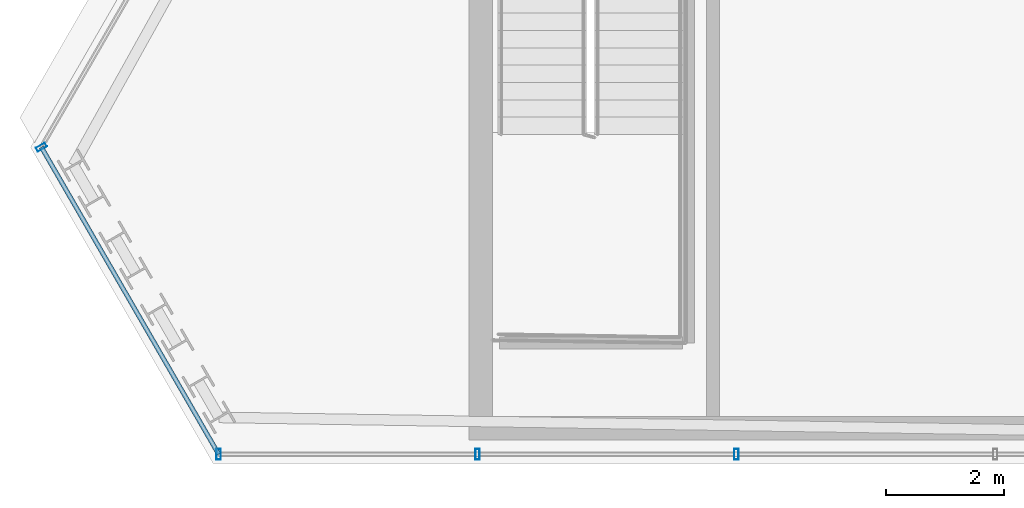
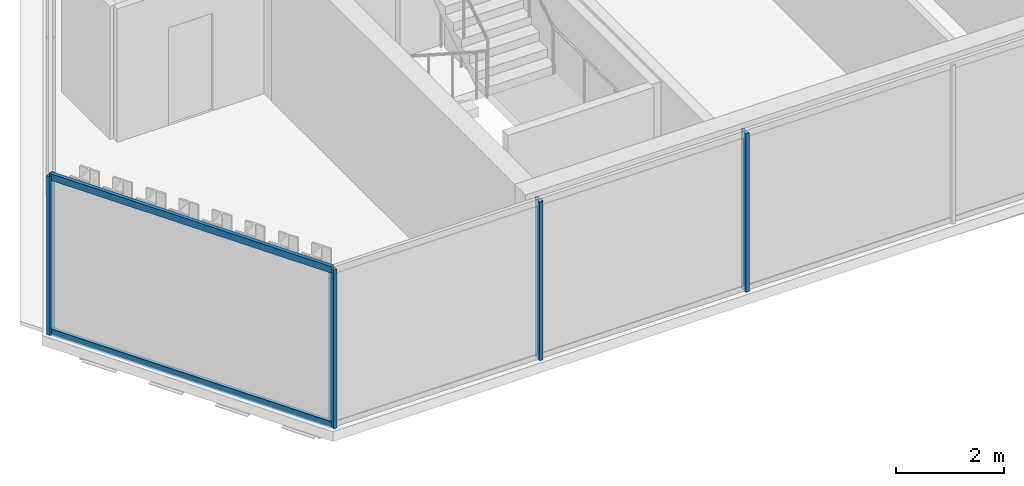
# One storey, part 3 of 32: 6 members, 2 elements without a shape of their own.
"""IFC4 building model written with IfcOpenShell, lengths in metres."""

from ifc_helpers import new_model, si_unit, direction, frame, origin, origin_2d, place, context, subcontext, project, spatial, hollow_rectangle, extrude, material, layer, layer_set, material_profile, profile_set, type_object, element, aggregate, save


model = new_model("IFC4")

# Units and contexts
model_context = context("Model", 3, precision=1e-05, world=origin(), true_north=direction((0.0, 1.0)))
body_context = subcontext(model_context, "Body", "Model", "MODEL_VIEW")
ifc_project = project(units=[si_unit("LENGTHUNIT", "METRE"), si_unit("AREAUNIT", "SQUARE_METRE"), si_unit("VOLUMEUNIT", "CUBIC_METRE"), si_unit("PLANEANGLEUNIT", "RADIAN"), si_unit("MASSUNIT", "GRAM", prefix="KILO")], contexts=[model_context])

# Site, building, storey
site_placement = place(None, origin())
site = spatial("IfcSite", under=ifc_project, at=site_placement, CompositionType="ELEMENT")
building_placement = place(site_placement, origin())
building = spatial("IfcBuilding", under=site, at=building_placement, Name="Ndaravel Arena Tower", CompositionType="ELEMENT")
storey_placement = place(building_placement, frame((0.0, 0.0, 252.199951171875)))
storey = spatial("IfcBuildingStorey", under=building, at=storey_placement, Name="L61", CompositionType="ELEMENT", Elevation=252.199951171875)

# Curtain wall, members
ifc_material_1 = material(Name="Aluminium", Category="aluminium")
ifc_layer_1 = layer(ifc_material_1, 0.179931640625)
ifc_layer_set_1 = layer_set([ifc_layer_1], Name="Aluminium")
curtain_wall_type_1 = type_object("IfcCurtainWallType", Name="CW-SYS-03", PredefinedType="NOTDEFINED", material=ifc_layer_set_1)
curtain_wall_1_placement = place(storey_placement, origin())
curtain_wall_1 = element("IfcCurtainWall", 1, at=curtain_wall_1_placement, inside=storey, type_object=curtain_wall_type_1, Name="L61 Faceted Crystal Curtain Wall CW-L61-E01", PredefinedType="NOTDEFINED")
ifc_material_2 = material(Name="Aluminium", Category="aluminium")
ifc_material_profile_1 = material_profile(ifc_material_2, hollow_rectangle(XDim=0.074951171875, YDim=0.179931640625, WallThickness=0.00390625, at=origin_2d()), Name="CW MULLION 75x180x4")
ifc_profile_set_1 = profile_set([ifc_material_profile_1], Name="Aluminium")
member_type_1 = type_object("IfcMemberType", Name="MEM-CW-MUL180", PredefinedType="MULLION", material=ifc_profile_set_1)
member_1_placement = place(storey_placement, frame((22.197021484375, 5.159912109375, 0.0), z_axis=(0.0, 0.0, 1.0), x_axis=(1.0, 0.0, 0.0)))
member_1 = element("IfcMember", 2, at=member_1_placement, type_object=member_type_1, Name="CW-L61-E01 Mullion 00", PredefinedType="MULLION", context=body_context, shape_type="SweptSolid", body=[
    extrude(hollow_rectangle(XDim=0.074951171875, YDim=0.179931640625, WallThickness=0.00390625, at=origin_2d()), origin(), (0.0, 0.0, 1.0), 3.580078125),
])
member_2_placement = place(storey_placement, frame((26.59765625, 5.159912109375, 0.0), z_axis=(0.0, 0.0, 1.0), x_axis=(1.0, 0.0, 0.0)))
member_2 = element("IfcMember", 3, at=member_2_placement, type_object=member_type_1, Name="CW-L61-E01 Mullion 01", PredefinedType="MULLION", context=body_context, shape_type="SweptSolid", body=[
    extrude(hollow_rectangle(XDim=0.074951171875, YDim=0.179931640625, WallThickness=0.00390625, at=origin_2d()), origin(), (0.0, 0.0, 1.0), 3.580078125),
])
member_3_placement = place(storey_placement, frame((30.998291015625, 5.159912109375, 0.0), z_axis=(0.0, 0.0, 1.0), x_axis=(1.0, 0.0, 0.0)))
member_3 = element("IfcMember", 4, at=member_3_placement, type_object=member_type_1, Name="CW-L61-E01 Mullion 02", PredefinedType="MULLION", context=body_context, shape_type="SweptSolid", body=[
    extrude(hollow_rectangle(XDim=0.074951171875, YDim=0.179931640625, WallThickness=0.00390625, at=origin_2d()), origin(), (0.0, 0.0, 1.0), 3.580078125),
])
aggregate(curtain_wall_1, [member_1, member_2, member_3])

ifc_material_3 = material(Name="Aluminium", Category="aluminium")
ifc_layer_2 = layer(ifc_material_3, 0.179931640625)
ifc_layer_set_2 = layer_set([ifc_layer_2], Name="Aluminium")
curtain_wall_type_2 = type_object("IfcCurtainWallType", Name="CW-SYS-02", PredefinedType="NOTDEFINED", material=ifc_layer_set_2)
curtain_wall_2_placement = place(storey_placement, origin())
curtain_wall_2 = element("IfcCurtainWall", 5, at=curtain_wall_2_placement, inside=storey, type_object=curtain_wall_type_2, Name="L61 Faceted Crystal Curtain Wall CW-L61-E06", PredefinedType="NOTDEFINED")
member_4_placement = place(storey_placement, frame((19.183349609375, 10.3798828125, 0.0), z_axis=(0.0, 0.0, 1.0), x_axis=(0.5, -0.866025403784, 0.0)))
member_4 = element("IfcMember", 6, at=member_4_placement, type_object=member_type_1, Name="CW-L61-E06 Mullion 00", PredefinedType="MULLION", context=body_context, shape_type="SweptSolid", body=[
    extrude(hollow_rectangle(XDim=0.074951171875, YDim=0.179931640625, WallThickness=0.00390625, at=origin_2d()), origin(), (0.0, 0.0, 1.0), 3.580078125),
])
ifc_material_4 = material(Name="Aluminium", Category="aluminium")
ifc_material_profile_2 = material_profile(ifc_material_4, hollow_rectangle(XDim=0.074951171875, YDim=0.14990234375, WallThickness=0.00390625, at=origin_2d()), Name="CW TRANSOM 75x150x4")
ifc_profile_set_2 = profile_set([ifc_material_profile_2], Name="Aluminium")
member_type_2 = type_object("IfcMemberType", Name="MEM-CW-TRN150", PredefinedType="USERDEFINED", material=ifc_profile_set_2)
member_5_placement = place(storey_placement, frame((19.183349609375, 10.3798828125, 0.0400390625), z_axis=(0.49999009336, -0.86603112331, 0.0), x_axis=(0.86603112331, 0.49999009336, 0.0)))
member_5 = element("IfcMember", 7, at=member_5_placement, type_object=member_type_2, Name="CW-L61-E06 Transom 01", ObjectType="TRANSOM", PredefinedType="USERDEFINED", context=body_context, shape_type="SweptSolid", body=[
    extrude(hollow_rectangle(XDim=0.074951171875, YDim=0.14990234375, WallThickness=0.00390625, at=origin_2d()), origin(), (0.0, 0.0, 1.0), 6.02734375),
])
member_6_placement = place(storey_placement, frame((19.183349609375, 10.3798828125, 3.5400390625), z_axis=(0.49999009336, -0.86603112331, 0.0), x_axis=(0.86603112331, 0.49999009336, 0.0)))
member_6 = element("IfcMember", 8, at=member_6_placement, type_object=member_type_2, Name="CW-L61-E06 Transom 02", ObjectType="TRANSOM", PredefinedType="USERDEFINED", context=body_context, shape_type="SweptSolid", body=[
    extrude(hollow_rectangle(XDim=0.074951171875, YDim=0.14990234375, WallThickness=0.00390625, at=origin_2d()), origin(), (0.0, 0.0, 1.0), 6.02734375),
])
aggregate(curtain_wall_2, [member_4, member_5, member_6])

save(model, "model.ifc")
